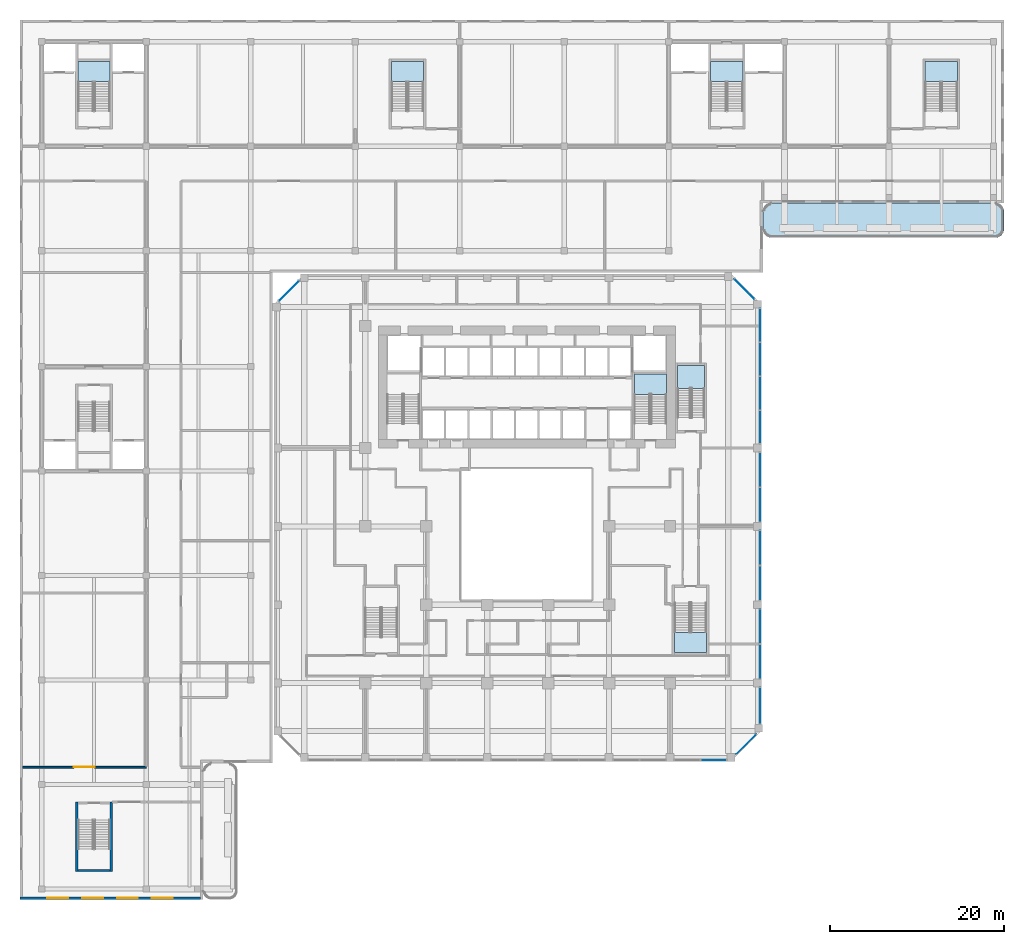
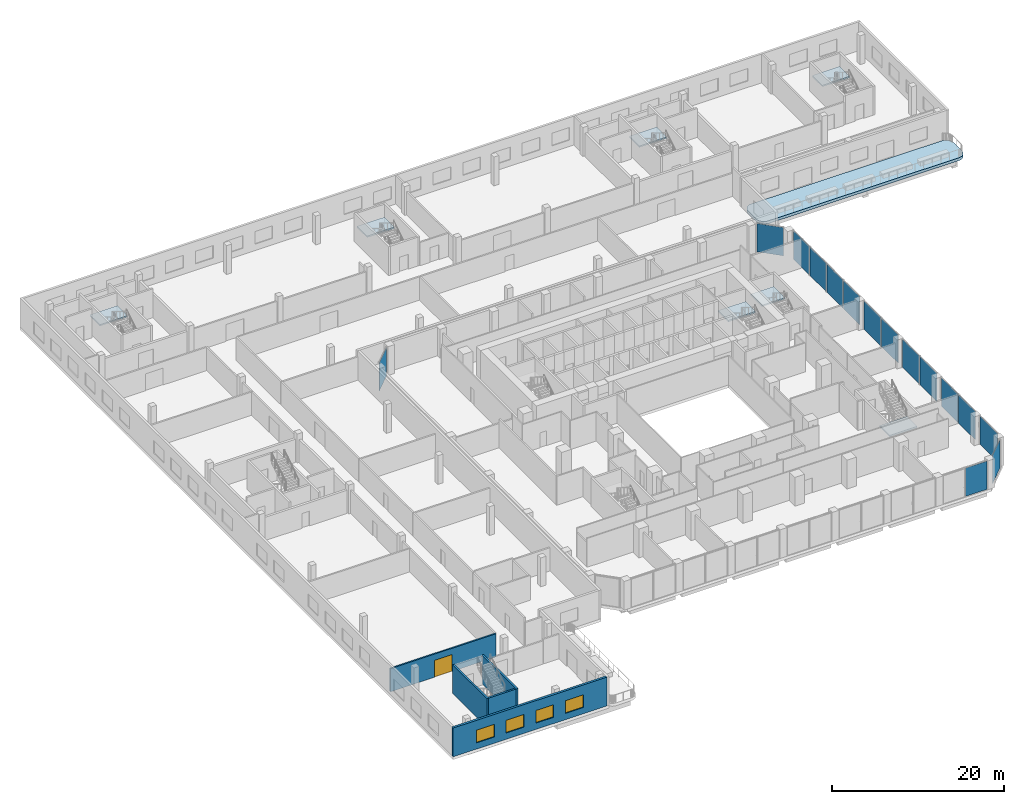
# One storey, part 12 of 36: 15 plates, 8 slabs, 5 walls, 4 windows, 1 door, 5 openings, 22 elements without a shape of their own.
"""IFC4 building model written with IfcOpenShell, lengths in metres."""

from ifc_helpers import new_model, si_unit, direction, frame, frame_2d, origin, origin_2d, place, context, subcontext, project, spatial, polyline, rectangle, outline, extrude, source, transform, mapped, material, layer, layer_set, type_object, element, fill, aggregate, save


model = new_model("IFC4")

# Units and contexts
model_context = context("Model", 3, precision=1e-05, world=origin(), true_north=direction((0.0, 1.0)))
body_context = subcontext(model_context, "Body", "Model", "MODEL_VIEW")
ifc_project = project(units=[si_unit("LENGTHUNIT", "METRE"), si_unit("AREAUNIT", "SQUARE_METRE"), si_unit("VOLUMEUNIT", "CUBIC_METRE"), si_unit("PLANEANGLEUNIT", "RADIAN"), si_unit("MASSUNIT", "GRAM", prefix="KILO")], contexts=[model_context])

# Site, building, storey
site_placement = place(None, origin())
site = spatial("IfcSite", under=ifc_project, at=site_placement, CompositionType="ELEMENT")
building_placement = place(site_placement, origin())
building = spatial("IfcBuilding", under=site, at=building_placement, Name="Kilnfold Tower and Market Hall", CompositionType="ELEMENT")
storey_placement = place(building_placement, frame((0.0, 0.0, 18.0)))
storey = spatial("IfcBuildingStorey", under=building, at=storey_placement, Name="L03", CompositionType="ELEMENT", Elevation=18.0)

# Curtain wall, plate
ifc_material_1 = material(Name="Aluminium and double glazing", Category="aluminium")
curtain_wall_type = type_object("IfcCurtainWallType", Name="CW BASE PODIUM GLAZING", PredefinedType="NOTDEFINED", material=ifc_material_1)
curtain_wall_1_placement = place(storey_placement, origin())
curtain_wall_1 = element("IfcCurtainWall", 1, at=curtain_wall_1_placement, inside=storey, type_object=curtain_wall_type, Name="Curtain wall CW4 L03 S", PredefinedType="NOTDEFINED")
ifc_material_2 = material(Name="Double glazed unit")
ifc_layer_1 = layer(ifc_material_2, 0.035888671875)
ifc_layer_set_1 = layer_set([ifc_layer_1], Name="Double glazed unit")
plate_type = type_object("IfcPlateType", Name="GLAZING PANEL 36", PredefinedType="CURTAIN_PANEL", material=ifc_layer_set_1)
shared_shape_1 = source(origin(), body_context, "Body", "SweptSolid", [
    extrude(rectangle(XDim=2.909912109375, YDim=0.035888671875, at=origin_2d()), origin(), (0.0, 0.0, 1.0), 4.030029296875),
])
plate_1_placement = place(storey_placement, frame((22.52490234375, -27.85009765625, 0.0), z_axis=(0.0, 0.0, 1.0), x_axis=(1.0, 0.0, 0.0)))
plate_1 = element("IfcPlate", 2, at=plate_1_placement, type_object=plate_type, Name="CW4 panel 1.1", PredefinedType="CURTAIN_PANEL", context=body_context, shape_type="MappedRepresentation", body=[
    mapped(shared_shape_1, transform((0.0, 0.0, 0.0))),
])
aggregate(curtain_wall_1, [plate_1])

curtain_wall_2_placement = place(storey_placement, origin())
curtain_wall_2 = element("IfcCurtainWall", 3, at=curtain_wall_2_placement, inside=storey, type_object=curtain_wall_type, Name="Curtain wall CW4 L03 E", PredefinedType="NOTDEFINED")
shared_shape_2 = source(origin(), body_context, "Body", "SweptSolid", [
    extrude(rectangle(XDim=3.909912109375, YDim=0.035888671875, at=origin_2d()), origin(), (0.0, 0.0, 1.0), 4.030029296875),
])
plate_2_placement = place(storey_placement, frame((27.85009765625, -16.52490234375, 0.0), z_axis=(0.0, 0.0, 1.0), x_axis=(0.0, 1.0, 0.0)))
plate_2 = element("IfcPlate", 4, at=plate_2_placement, type_object=plate_type, Name="CW4 panel 1.1", PredefinedType="CURTAIN_PANEL", context=body_context, shape_type="MappedRepresentation", body=[
    mapped(shared_shape_2, transform((0.0, 0.0, 0.0))),
])
aggregate(curtain_wall_2, [plate_2])

curtain_wall_3_placement = place(storey_placement, origin())
curtain_wall_3 = element("IfcCurtainWall", 5, at=curtain_wall_3_placement, inside=storey, type_object=curtain_wall_type, Name="Curtain wall CW4 L03 E", PredefinedType="NOTDEFINED")
plate_3_placement = place(storey_placement, frame((27.85009765625, -12.47509765625, 0.0), z_axis=(0.0, 0.0, 1.0), x_axis=(0.0, 1.0, 0.0)))
plate_3 = element("IfcPlate", 6, at=plate_3_placement, type_object=plate_type, Name="CW4 panel 1.1", PredefinedType="CURTAIN_PANEL", context=body_context, shape_type="MappedRepresentation", body=[
    mapped(shared_shape_2, transform((0.0, 0.0, 0.0))),
])
aggregate(curtain_wall_3, [plate_3])

curtain_wall_4_placement = place(storey_placement, origin())
curtain_wall_4 = element("IfcCurtainWall", 7, at=curtain_wall_4_placement, inside=storey, type_object=curtain_wall_type, Name="Curtain wall CW4 L03 E", PredefinedType="NOTDEFINED")
plate_4_placement = place(storey_placement, frame((27.85009765625, -7.52490234375, 0.0), z_axis=(0.0, 0.0, 1.0), x_axis=(0.0, 1.0, 0.0)))
plate_4 = element("IfcPlate", 8, at=plate_4_placement, type_object=plate_type, Name="CW4 panel 1.1", PredefinedType="CURTAIN_PANEL", context=body_context, shape_type="MappedRepresentation", body=[
    mapped(shared_shape_2, transform((0.0, 0.0, 0.0))),
])
aggregate(curtain_wall_4, [plate_4])

curtain_wall_5_placement = place(storey_placement, origin())
curtain_wall_5 = element("IfcCurtainWall", 9, at=curtain_wall_5_placement, inside=storey, type_object=curtain_wall_type, Name="Curtain wall CW4 L03 E", PredefinedType="NOTDEFINED")
plate_5_placement = place(storey_placement, frame((27.85009765625, -3.47509765625, 0.0), z_axis=(0.0, 0.0, 1.0), x_axis=(0.0, 1.0, 0.0)))
plate_5 = element("IfcPlate", 10, at=plate_5_placement, type_object=plate_type, Name="CW4 panel 1.1", PredefinedType="CURTAIN_PANEL", context=body_context, shape_type="MappedRepresentation", body=[
    mapped(shared_shape_2, transform((0.0, 0.0, 0.0))),
])
aggregate(curtain_wall_5, [plate_5])

curtain_wall_6_placement = place(storey_placement, origin())
curtain_wall_6 = element("IfcCurtainWall", 11, at=curtain_wall_6_placement, inside=storey, type_object=curtain_wall_type, Name="Curtain wall CW4 L03 E", PredefinedType="NOTDEFINED")
plate_6_placement = place(storey_placement, frame((27.85009765625, 1.47509765625, 0.0), z_axis=(0.0, 0.0, 1.0), x_axis=(0.0, 1.0, 0.0)))
plate_6 = element("IfcPlate", 12, at=plate_6_placement, type_object=plate_type, Name="CW4 panel 1.1", PredefinedType="CURTAIN_PANEL", context=body_context, shape_type="MappedRepresentation", body=[
    mapped(shared_shape_2, transform((0.0, 0.0, 0.0))),
])
aggregate(curtain_wall_6, [plate_6])

curtain_wall_7_placement = place(storey_placement, origin())
curtain_wall_7 = element("IfcCurtainWall", 13, at=curtain_wall_7_placement, inside=storey, type_object=curtain_wall_type, Name="Curtain wall CW4 L03 E", PredefinedType="NOTDEFINED")
plate_7_placement = place(storey_placement, frame((27.85009765625, 5.52490234375, 0.0), z_axis=(0.0, 0.0, 1.0), x_axis=(0.0, 1.0, 0.0)))
plate_7 = element("IfcPlate", 14, at=plate_7_placement, type_object=plate_type, Name="CW4 panel 1.1", PredefinedType="CURTAIN_PANEL", context=body_context, shape_type="MappedRepresentation", body=[
    mapped(shared_shape_2, transform((0.0, 0.0, 0.0))),
])
aggregate(curtain_wall_7, [plate_7])

curtain_wall_8_placement = place(storey_placement, origin())
curtain_wall_8 = element("IfcCurtainWall", 15, at=curtain_wall_8_placement, inside=storey, type_object=curtain_wall_type, Name="Curtain wall CW4 L03 E", PredefinedType="NOTDEFINED")
shared_shape_3 = source(origin(), body_context, "Body", "SweptSolid", [
    extrude(rectangle(XDim=3.760009765625, YDim=0.035888671875, at=origin_2d()), origin(), (0.0, 0.0, 1.0), 4.030029296875),
])
plate_8_placement = place(storey_placement, frame((27.85009765625, 10.39990234375, 0.0), z_axis=(0.0, 0.0, 1.0), x_axis=(0.0, 1.0, 0.0)))
plate_8 = element("IfcPlate", 16, at=plate_8_placement, type_object=plate_type, Name="CW4 panel 1.1", PredefinedType="CURTAIN_PANEL", context=body_context, shape_type="MappedRepresentation", body=[
    mapped(shared_shape_3, transform((0.0, 0.0, 0.0))),
])
aggregate(curtain_wall_8, [plate_8])

curtain_wall_9_placement = place(storey_placement, origin())
curtain_wall_9 = element("IfcCurtainWall", 17, at=curtain_wall_9_placement, inside=storey, type_object=curtain_wall_type, Name="Curtain wall CW4 L03 E", PredefinedType="NOTDEFINED")
plate_9_placement = place(storey_placement, frame((27.85009765625, 14.300048828125, 0.0), z_axis=(0.0, 0.0, 1.0), x_axis=(0.0, 1.0, 0.0)))
plate_9 = element("IfcPlate", 18, at=plate_9_placement, type_object=plate_type, Name="CW4 panel 1.1", PredefinedType="CURTAIN_PANEL", context=body_context, shape_type="MappedRepresentation", body=[
    mapped(shared_shape_3, transform((0.0, 0.0, 0.0))),
])
aggregate(curtain_wall_9, [plate_9])

curtain_wall_10_placement = place(storey_placement, origin())
curtain_wall_10 = element("IfcCurtainWall", 19, at=curtain_wall_10_placement, inside=storey, type_object=curtain_wall_type, Name="Curtain wall CW4 L03 E", PredefinedType="NOTDEFINED")
plate_10_placement = place(storey_placement, frame((27.85009765625, 18.199951171875, 0.0), z_axis=(0.0, 0.0, 1.0), x_axis=(0.0, 1.0, 0.0)))
plate_10 = element("IfcPlate", 20, at=plate_10_placement, type_object=plate_type, Name="CW4 panel 1.1", PredefinedType="CURTAIN_PANEL", context=body_context, shape_type="MappedRepresentation", body=[
    mapped(shared_shape_3, transform((0.0, 0.0, 0.0))),
])
aggregate(curtain_wall_10, [plate_10])

curtain_wall_11_placement = place(storey_placement, origin())
curtain_wall_11 = element("IfcCurtainWall", 21, at=curtain_wall_11_placement, inside=storey, type_object=curtain_wall_type, Name="Curtain wall CW4 L03 E", PredefinedType="NOTDEFINED")
plate_11_placement = place(storey_placement, frame((27.85009765625, 22.10009765625, 0.0), z_axis=(0.0, 0.0, 1.0), x_axis=(0.0, 1.0, 0.0)))
plate_11 = element("IfcPlate", 22, at=plate_11_placement, type_object=plate_type, Name="CW4 panel 1.1", PredefinedType="CURTAIN_PANEL", context=body_context, shape_type="MappedRepresentation", body=[
    mapped(shared_shape_3, transform((0.0, 0.0, 0.0))),
])
aggregate(curtain_wall_11, [plate_11])

curtain_wall_12_placement = place(storey_placement, origin())
curtain_wall_12 = element("IfcCurtainWall", 23, at=curtain_wall_12_placement, inside=storey, type_object=curtain_wall_type, Name="Curtain wall CW4 L03 SE", PredefinedType="NOTDEFINED")
shared_shape_4 = source(origin(), body_context, "Body", "SweptSolid", [
    extrude(rectangle(XDim=3.21875, YDim=0.035888671875, at=origin_2d()), origin(), (0.0, 0.0, 1.0), 4.030029296875),
])
plate_12_placement = place(storey_placement, frame((26.25634765625, -26.031494140625, 0.0), z_axis=(0.0, 0.0, 1.0), x_axis=(0.707121667181, 0.707091894879, 0.0)))
plate_12 = element("IfcPlate", 24, at=plate_12_placement, type_object=plate_type, Name="CW4 panel 1.1", PredefinedType="CURTAIN_PANEL", context=body_context, shape_type="MappedRepresentation", body=[
    mapped(shared_shape_4, transform((0.0, 0.0, 0.0))),
])
aggregate(curtain_wall_12, [plate_12])

curtain_wall_13_placement = place(storey_placement, origin())
curtain_wall_13 = element("IfcCurtainWall", 25, at=curtain_wall_13_placement, inside=storey, type_object=curtain_wall_type, Name="Curtain wall CW4 L03 NE", PredefinedType="NOTDEFINED")
plate_13_placement = place(storey_placement, frame((26.031494140625, 26.25634765625, 0.0), z_axis=(0.0, 0.0, 1.0), x_axis=(-0.707091894879, 0.707121667181, 0.0)))
plate_13 = element("IfcPlate", 26, at=plate_13_placement, type_object=plate_type, Name="CW4 panel 1.1", PredefinedType="CURTAIN_PANEL", context=body_context, shape_type="MappedRepresentation", body=[
    mapped(shared_shape_4, transform((0.0, 0.0, 0.0))),
])
aggregate(curtain_wall_13, [plate_13])

curtain_wall_14_placement = place(storey_placement, origin())
curtain_wall_14 = element("IfcCurtainWall", 27, at=curtain_wall_14_placement, inside=storey, type_object=curtain_wall_type, Name="Curtain wall CW4 L03 NW", PredefinedType="NOTDEFINED")
plate_14_placement = place(storey_placement, frame((-26.25634765625, 26.031494140625, 0.0), z_axis=(0.0, 0.0, 1.0), x_axis=(-0.707121667181, -0.707091894879, 0.0)))
plate_14 = element("IfcPlate", 28, at=plate_14_placement, type_object=plate_type, Name="CW4 panel 1.1", PredefinedType="CURTAIN_PANEL", context=body_context, shape_type="MappedRepresentation", body=[
    mapped(shared_shape_4, transform((0.0, 0.0, 0.0))),
])
aggregate(curtain_wall_14, [plate_14])

curtain_wall_15_placement = place(storey_placement, origin())
curtain_wall_15 = element("IfcCurtainWall", 29, at=curtain_wall_15_placement, inside=storey, type_object=curtain_wall_type, Name="Curtain wall CW4 L03 E", PredefinedType="NOTDEFINED")
shared_shape_5 = source(origin(), body_context, "Body", "SweptSolid", [
    extrude(rectangle(XDim=4.141845703125, YDim=0.035888671875, at=origin_2d()), origin(), (0.0, 0.0, 1.0), 4.030029296875),
])
plate_15_placement = place(storey_placement, frame((27.85009765625, -21.5908203125, 0.0), z_axis=(0.0, 0.0, 1.0), x_axis=(0.0, 1.0, 0.0)))
plate_15 = element("IfcPlate", 30, at=plate_15_placement, type_object=plate_type, Name="CW4 panel 1.1", PredefinedType="CURTAIN_PANEL", context=body_context, shape_type="MappedRepresentation", body=[
    mapped(shared_shape_5, transform((0.0, 0.0, 0.0))),
])
aggregate(curtain_wall_15, [plate_15])

# Slab
ifc_material_3 = material(Name="Concrete C40/50", Category="concrete")
ifc_layer_2 = layer(ifc_material_3, 0.39990234375)
ifc_layer_set_2 = layer_set([ifc_layer_2], Name="Concrete C40/50")
slab_type_1 = type_object("IfcSlabType", Name="TERRACE SLAB 400", PredefinedType="ROOF", material=ifc_layer_set_2)
shared_shape_6 = source(origin(), body_context, "Body", "SweptSolid", [
    extrude(outline(polyline([(55.85009765625, 33.14990234375), (55.84521484375, 33.052001953125), (55.830810546875, 32.954833984375), (55.806884765625, 32.859619140625), (55.77392578125, 32.767333984375), (55.73193359375, 32.6787109375), (55.681396484375, 32.594482421875), (55.623046875, 32.515625), (55.55712890625, 32.44287109375), (55.484375, 32.376953125), (55.405517578125, 32.318603515625), (55.3212890625, 32.26806640625), (55.232666015625, 32.22607421875), (55.140380859375, 32.193115234375), (55.045166015625, 32.169189453125), (54.947998046875, 32.15478515625), (54.85009765625, 32.14990234375), (29.159912109375, 32.14990234375), (29.06201171875, 32.15478515625), (28.96484375, 32.169189453125), (28.86962890625, 32.193115234375), (28.77734375, 32.22607421875), (28.688720703125, 32.26806640625), (28.6044921875, 32.318603515625), (28.525634765625, 32.376953125), (28.452880859375, 32.44287109375), (28.386962890625, 32.515625), (28.32861328125, 32.594482421875), (28.278076171875, 32.6787109375), (28.236083984375, 32.767333984375), (28.203125, 32.859619140625), (28.17919921875, 32.954833984375), (28.164794921875, 33.052001953125), (28.159912109375, 33.14990234375), (28.159912109375, 35.139892578125), (28.164794921875, 35.238037109375), (28.17919921875, 35.335205078125), (28.203125, 35.430419921875), (28.236083984375, 35.522705078125), (28.278076171875, 35.611328125), (28.32861328125, 35.695556640625), (28.386962890625, 35.7744140625), (28.452880859375, 35.84716796875), (28.525634765625, 35.9130859375), (28.6044921875, 35.971435546875), (28.688720703125, 36.02197265625), (28.77734375, 36.06396484375), (28.86962890625, 36.096923828125), (28.96484375, 36.120849609375), (29.06201171875, 36.13525390625), (29.159912109375, 36.139892578125), (54.85009765625, 36.139892578125), (54.947998046875, 36.13525390625), (55.045166015625, 36.120849609375), (55.140380859375, 36.096923828125), (55.232666015625, 36.06396484375), (55.3212890625, 36.02197265625), (55.405517578125, 35.971435546875), (55.484375, 35.9130859375), (55.55712890625, 35.84716796875), (55.623046875, 35.7744140625), (55.681396484375, 35.695556640625), (55.73193359375, 35.611328125), (55.77392578125, 35.522705078125), (55.806884765625, 35.430419921875), (55.830810546875, 35.335205078125), (55.84521484375, 35.238037109375), (55.85009765625, 35.139892578125), (55.85009765625, 33.14990234375)])), origin(), (0.0, 0.0, 1.0), 0.39990234375),
])
slab_1_placement = place(storey_placement, frame((0.0, 0.0, -0.39990234375)))
element("IfcSlab", 31, at=slab_1_placement, inside=storey, type_object=slab_type_1, Name="Terrace slab L03 part 2", PredefinedType="ROOF", context=body_context, shape_type="MappedRepresentation", body=[
    mapped(shared_shape_6, transform((0.0, 0.0, 0.0))),
])

# Stair, slab
ifc_material_4 = material(Name="Concrete C40/50", Category="concrete")
stair_type_1 = type_object("IfcStairType", Name="CORE STAIR 1800", PredefinedType="HALF_TURN_STAIR", material=ifc_material_4)
stair_1_placement = place(storey_placement, origin())
stair_1 = element("IfcStair", 32, at=stair_1_placement, inside=storey, type_object=stair_type_1, Name="L03 ST2", PredefinedType="HALF_TURN_STAIR")
ifc_material_5 = material(Name="Concrete C40/50", Category="concrete")
ifc_layer_3 = layer(ifc_material_5, 0.199951171875)
ifc_layer_set_3 = layer_set([ifc_layer_3], Name="Concrete C40/50")
slab_type_2 = type_object("IfcSlabType", Name="CORE STAIR LANDING 200", PredefinedType="LANDING", material=ifc_layer_set_3)
shared_shape_7 = source(origin(), body_context, "Body", "SweptSolid", [
    extrude(outline(polyline([(17.10009765625, 14.159912109375), (17.10009765625, 16.5), (13.39990234375, 16.5), (13.39990234375, 14.159912109375), (17.10009765625, 14.159912109375)])), origin(), (0.0, 0.0, 1.0), 0.199951171875),
])
slab_2_placement = place(storey_placement, frame((0.0, 0.0, 2.050048828125)))
slab_2 = element("IfcSlab", 33, at=slab_2_placement, type_object=slab_type_2, Name="ST2 landing 1", PredefinedType="LANDING", context=body_context, shape_type="MappedRepresentation", body=[
    mapped(shared_shape_7, transform((0.0, 0.0, 0.0))),
])
aggregate(stair_1, [slab_2])

stair_2_placement = place(storey_placement, origin())
stair_2 = element("IfcStair", 34, at=stair_2_placement, inside=storey, type_object=stair_type_1, Name="L03 ST4", PredefinedType="HALF_TURN_STAIR")
shared_shape_8 = source(origin(), body_context, "Body", "SweptSolid", [
    extrude(outline(polyline([(18.0, -13.159912109375), (18.0, -15.5), (21.699951171875, -15.5), (21.699951171875, -13.159912109375), (18.0, -13.159912109375)])), origin(), (0.0, 0.0, 1.0), 0.199951171875),
])
slab_3_placement = place(storey_placement, frame((0.0, 0.0, 2.050048828125)))
slab_3 = element("IfcSlab", 35, at=slab_3_placement, type_object=slab_type_2, Name="ST4 landing 1", PredefinedType="LANDING", context=body_context, shape_type="MappedRepresentation", body=[
    mapped(shared_shape_8, transform((0.0, 0.0, 0.0))),
])
aggregate(stair_2, [slab_3])

ifc_material_6 = material(Name="Concrete C40/50", Category="concrete")
stair_type_2 = type_object("IfcStairType", Name="CORE STAIR 1500", PredefinedType="HALF_TURN_STAIR", material=ifc_material_6)
stair_3_placement = place(storey_placement, origin())
stair_3 = element("IfcStair", 36, at=stair_3_placement, inside=storey, type_object=stair_type_2, Name="L03 ST5", PredefinedType="HALF_TURN_STAIR")
shared_shape_9 = source(origin(), body_context, "Body", "SweptSolid", [
    extrude(outline(polyline([(21.449951171875, 14.860107421875), (21.449951171875, 17.5), (18.35009765625, 17.5), (18.35009765625, 14.860107421875), (21.449951171875, 14.860107421875)])), origin(), (0.0, 0.0, 1.0), 0.199951171875),
])
slab_4_placement = place(storey_placement, frame((0.0, 0.0, 2.050048828125)))
slab_4 = element("IfcSlab", 37, at=slab_4_placement, type_object=slab_type_2, Name="ST5 landing 1", PredefinedType="LANDING", context=body_context, shape_type="MappedRepresentation", body=[
    mapped(shared_shape_9, transform((0.0, 0.0, 0.0))),
])
aggregate(stair_3, [slab_4])

ifc_material_7 = material(Name="Concrete C40/50", Category="concrete")
stair_type_3 = type_object("IfcStairType", Name="HALL STAIR", PredefinedType="HALF_TURN_STAIR", material=ifc_material_7)
stair_4_placement = place(storey_placement, origin())
stair_4 = element("IfcStair", 38, at=stair_4_placement, inside=storey, type_object=stair_type_3, Name="L03 MS3", PredefinedType="HALF_TURN_STAIR")
ifc_material_8 = material(Name="Concrete C40/50", Category="concrete")
ifc_layer_4 = layer(ifc_material_8, 0.199951171875)
ifc_layer_set_4 = layer_set([ifc_layer_4], Name="Concrete C40/50")
slab_type_3 = type_object("IfcSlabType", Name="HALL STAIR LANDING", PredefinedType="LANDING", material=ifc_layer_set_4)
shared_shape_10 = source(origin(), body_context, "Body", "SweptSolid", [
    extrude(outline(polyline([(-46.800048828125, 50.06005859375), (-46.800048828125, 52.39990234375), (-50.5, 52.39990234375), (-50.5, 50.06005859375), (-46.800048828125, 50.06005859375)])), origin(), (0.0, 0.0, 1.0), 0.199951171875),
])
slab_5_placement = place(storey_placement, frame((0.0, 0.0, 2.050048828125)))
slab_5 = element("IfcSlab", 39, at=slab_5_placement, type_object=slab_type_3, Name="MS3 landing 1", PredefinedType="LANDING", context=body_context, shape_type="MappedRepresentation", body=[
    mapped(shared_shape_10, transform((0.0, 0.0, 0.0))),
])
aggregate(stair_4, [slab_5])

stair_5_placement = place(storey_placement, origin())
stair_5 = element("IfcStair", 40, at=stair_5_placement, inside=storey, type_object=stair_type_3, Name="L03 MS4", PredefinedType="HALF_TURN_STAIR")
shared_shape_11 = source(origin(), body_context, "Body", "SweptSolid", [
    extrude(outline(polyline([(-10.800048828125, 50.06005859375), (-10.800048828125, 52.39990234375), (-14.5, 52.39990234375), (-14.5, 50.06005859375), (-10.800048828125, 50.06005859375)])), origin(), (0.0, 0.0, 1.0), 0.199951171875),
])
slab_6_placement = place(storey_placement, frame((0.0, 0.0, 2.050048828125)))
slab_6 = element("IfcSlab", 41, at=slab_6_placement, type_object=slab_type_3, Name="MS4 landing 1", PredefinedType="LANDING", context=body_context, shape_type="MappedRepresentation", body=[
    mapped(shared_shape_11, transform((0.0, 0.0, 0.0))),
])
aggregate(stair_5, [slab_6])

stair_6_placement = place(storey_placement, origin())
stair_6 = element("IfcStair", 42, at=stair_6_placement, inside=storey, type_object=stair_type_3, Name="L03 MS5", PredefinedType="HALF_TURN_STAIR")
shared_shape_12 = source(origin(), body_context, "Body", "SweptSolid", [
    extrude(outline(polyline([(25.85009765625, 50.06005859375), (25.85009765625, 52.39990234375), (22.14990234375, 52.39990234375), (22.14990234375, 50.06005859375), (25.85009765625, 50.06005859375)])), origin(), (0.0, 0.0, 1.0), 0.199951171875),
])
slab_7_placement = place(storey_placement, frame((0.0, 0.0, 2.050048828125)))
slab_7 = element("IfcSlab", 43, at=slab_7_placement, type_object=slab_type_3, Name="MS5 landing 1", PredefinedType="LANDING", context=body_context, shape_type="MappedRepresentation", body=[
    mapped(shared_shape_12, transform((0.0, 0.0, 0.0))),
])
aggregate(stair_6, [slab_7])

stair_7_placement = place(storey_placement, origin())
stair_7 = element("IfcStair", 44, at=stair_7_placement, inside=storey, type_object=stair_type_3, Name="L03 MS6", PredefinedType="HALF_TURN_STAIR")
shared_shape_13 = source(origin(), body_context, "Body", "SweptSolid", [
    extrude(outline(polyline([(50.5, 50.06005859375), (50.5, 52.39990234375), (46.800048828125, 52.39990234375), (46.800048828125, 50.06005859375), (50.5, 50.06005859375)])), origin(), (0.0, 0.0, 1.0), 0.199951171875),
])
slab_8_placement = place(storey_placement, frame((0.0, 0.0, 2.050048828125)))
slab_8 = element("IfcSlab", 45, at=slab_8_placement, type_object=slab_type_3, Name="MS6 landing 1", PredefinedType="LANDING", context=body_context, shape_type="MappedRepresentation", body=[
    mapped(shared_shape_13, transform((0.0, 0.0, 0.0))),
])
aggregate(stair_7, [slab_8])

# Walls
ifc_material_9 = material(Name="Concrete C50/60", Category="concrete")
ifc_layer_5 = layer(ifc_material_9, 0.25)
ifc_layer_set_5 = layer_set([ifc_layer_5], Name="Concrete C50/60")
wall_type_1 = type_object("IfcWallType", Name="HALL CORE WALL 250", PredefinedType="SHEAR", material=ifc_layer_set_5)
shared_shape_14 = source(origin(), body_context, "Body", "SweptSolid", [
    extrude(rectangle(XDim=3.699951171875, YDim=0.25, at=frame_2d((1.85009765625, 0.0))), origin(), (0.0, 0.0, 1.0), 4.10009765625),
])
wall_1_placement = place(storey_placement, frame((-50.5, -40.52490234375, 0.0), z_axis=(0.0, 0.0, 1.0), x_axis=(1.0, 0.0, 0.0)))
element("IfcWall", 46, at=wall_1_placement, inside=storey, type_object=wall_type_1, Name="Core wall MS1", PredefinedType="SHEAR", context=body_context, shape_type="MappedRepresentation", body=[
    mapped(shared_shape_14, transform((0.0, 0.0, 0.0))),
])
shared_shape_15 = source(origin(), body_context, "Body", "SweptSolid", [
    extrude(rectangle(XDim=8.0, YDim=0.25, at=frame_2d((4.0, 0.0))), origin(), (0.0, 0.0, 1.0), 4.10009765625),
])
for number, where, z_axis, x_axis, name in (
    (47, (-50.625, -40.64990234375, 0.0), (0.0, 0.0, 1.0), (0.0, 1.0, 0.0), "Core wall MS1"),
    (48, (-46.675048828125, -40.64990234375, 0.0), (0.0, 0.0, 1.0), (0.0, 1.0, 0.0), "Core wall MS1"),
):
    element("IfcWall", number, at=place(storey_placement, frame(where, z_axis=z_axis, x_axis=x_axis)), inside=storey, type_object=wall_type_1, Name=name, PredefinedType="SHEAR", context=body_context, shape_type="MappedRepresentation", body=[
        mapped(shared_shape_15, transform((0.0, 0.0, 0.0))),
    ])

# Wall, openings, windows
ifc_material_10 = material(Name="Concrete blockwork", Category="masonry")
ifc_layer_6 = layer(ifc_material_10, 0.300048828125)
ifc_layer_set_6 = layer_set([ifc_layer_6], Name="Concrete blockwork")
wall_type_2 = type_object("IfcWallType", Name="HALL EXTERNAL WALL 300 EI 60", PredefinedType="SOLIDWALL", material=ifc_layer_set_6)
shared_shape_16 = source(origin(), body_context, "Body", "SweptSolid", [
    extrude(rectangle(XDim=20.699951171875, YDim=0.300048828125, at=frame_2d((10.35009765625, 0.0))), origin(), (0.0, 0.0, 1.0), 4.10009765625),
])
wall_2_placement = place(storey_placement, frame((-36.449951171875, -43.699951171875, 0.0), z_axis=(0.0, 0.0, 1.0), x_axis=(-1.0, 0.0, 0.0)))
wall_2 = element("IfcWall", 49, at=wall_2_placement, inside=storey, type_object=wall_type_2, Name="External wall MEW-L03.10", PredefinedType="SOLIDWALL", context=body_context, shape_type="MappedRepresentation", body=[
    mapped(shared_shape_16, transform((0.0, 0.0, 0.0))),
])
opening_1_placement = place(wall_2_placement, frame((3.14990234375, 0.0, 0.89990234375)))
opening_1 = element("IfcOpeningElement", 50, at=opening_1_placement, cuts=wall_2, Name="Opening MEN3", PredefinedType="OPENING", context=body_context, shape_type="SweptSolid", body=[
    extrude(rectangle(XDim=2.39990234375, YDim=1.800048828125, at=frame_2d((1.199951171875, 0.89990234375))), frame((0.0, 0.16015625, 0.0), z_axis=(0.0, -1.0, 0.0), x_axis=(1.0, 0.0, 0.0)), (0.0, 0.0, 1.0), 0.320068359375),
])
opening_2_placement = place(wall_2_placement, frame((7.14990234375, 0.0, 0.89990234375)))
opening_2 = element("IfcOpeningElement", 51, at=opening_2_placement, cuts=wall_2, Name="Opening MEN3", PredefinedType="OPENING", context=body_context, shape_type="SweptSolid", body=[
    extrude(rectangle(XDim=2.39990234375, YDim=1.800048828125, at=frame_2d((1.199951171875, 0.89990234375))), frame((0.0, 0.16015625, 0.0), z_axis=(0.0, -1.0, 0.0), x_axis=(1.0, 0.0, 0.0)), (0.0, 0.0, 1.0), 0.320068359375),
])
opening_3_placement = place(wall_2_placement, frame((11.14990234375, 0.0, 0.89990234375)))
opening_3 = element("IfcOpeningElement", 52, at=opening_3_placement, cuts=wall_2, Name="Opening MEN3", PredefinedType="OPENING", context=body_context, shape_type="SweptSolid", body=[
    extrude(rectangle(XDim=2.39990234375, YDim=1.800048828125, at=frame_2d((1.199951171875, 0.89990234375))), frame((0.0, 0.16015625, 0.0), z_axis=(0.0, -1.0, 0.0), x_axis=(1.0, 0.0, 0.0)), (0.0, 0.0, 1.0), 0.320068359375),
])
opening_4_placement = place(wall_2_placement, frame((15.14990234375, 0.0, 0.89990234375)))
opening_4 = element("IfcOpeningElement", 53, at=opening_4_placement, cuts=wall_2, Name="Opening MEN3", PredefinedType="OPENING", context=body_context, shape_type="SweptSolid", body=[
    extrude(rectangle(XDim=2.39990234375, YDim=1.800048828125, at=frame_2d((1.199951171875, 0.89990234375))), frame((0.0, 0.16015625, 0.0), z_axis=(0.0, -1.0, 0.0), x_axis=(1.0, 0.0, 0.0)), (0.0, 0.0, 1.0), 0.320068359375),
])
ifc_material_11 = material(Name="Aluminium glazing", Category="aluminium")
window_type = type_object("IfcWindowType", Name="HALL WINDOW 2400X1800", PartitioningType="SINGLE_PANEL", PredefinedType="WINDOW", material=ifc_material_11)
window_1_placement = place(opening_1_placement, origin())
window_1 = element("IfcWindow", 54, at=window_1_placement, inside=storey, type_object=window_type, Name="Window upper", OverallHeight=1.800048828125, OverallWidth=2.39990234375, PartitioningType="SINGLE_PANEL", PredefinedType="WINDOW", context=body_context, shape_type="SweptSolid", body=[
    extrude(rectangle(XDim=2.39990234375, YDim=1.800048828125, at=frame_2d((1.199951171875, 0.89990234375))), frame((0.0, 0.030029296875, 0.0), z_axis=(0.0, -1.0, 0.0), x_axis=(1.0, 0.0, 0.0)), (0.0, 0.0, 1.0), 0.06005859375),
])
fill(opening_1, window_1)
window_2_placement = place(opening_2_placement, origin())
window_2 = element("IfcWindow", 55, at=window_2_placement, inside=storey, type_object=window_type, Name="Window upper", OverallHeight=1.800048828125, OverallWidth=2.39990234375, PartitioningType="SINGLE_PANEL", PredefinedType="WINDOW", context=body_context, shape_type="SweptSolid", body=[
    extrude(rectangle(XDim=2.39990234375, YDim=1.800048828125, at=frame_2d((1.199951171875, 0.89990234375))), frame((0.0, 0.030029296875, 0.0), z_axis=(0.0, -1.0, 0.0), x_axis=(1.0, 0.0, 0.0)), (0.0, 0.0, 1.0), 0.06005859375),
])
fill(opening_2, window_2)
window_3_placement = place(opening_3_placement, origin())
window_3 = element("IfcWindow", 56, at=window_3_placement, inside=storey, type_object=window_type, Name="Window upper", OverallHeight=1.800048828125, OverallWidth=2.39990234375, PartitioningType="SINGLE_PANEL", PredefinedType="WINDOW", context=body_context, shape_type="SweptSolid", body=[
    extrude(rectangle(XDim=2.39990234375, YDim=1.800048828125, at=frame_2d((1.199951171875, 0.89990234375))), frame((0.0, 0.030029296875, 0.0), z_axis=(0.0, -1.0, 0.0), x_axis=(1.0, 0.0, 0.0)), (0.0, 0.0, 1.0), 0.06005859375),
])
fill(opening_3, window_3)
window_4_placement = place(opening_4_placement, origin())
window_4 = element("IfcWindow", 57, at=window_4_placement, inside=storey, type_object=window_type, Name="Window upper", OverallHeight=1.800048828125, OverallWidth=2.39990234375, PartitioningType="SINGLE_PANEL", PredefinedType="WINDOW", context=body_context, shape_type="SweptSolid", body=[
    extrude(rectangle(XDim=2.39990234375, YDim=1.800048828125, at=frame_2d((1.199951171875, 0.89990234375))), frame((0.0, 0.030029296875, 0.0), z_axis=(0.0, -1.0, 0.0), x_axis=(1.0, 0.0, 0.0)), (0.0, 0.0, 1.0), 0.06005859375),
])
fill(opening_4, window_4)

# Wall, opening, door
ifc_material_12 = material(Name="Concrete blockwork", Category="masonry")
ifc_layer_7 = layer(ifc_material_12, 0.199951171875)
ifc_layer_set_7 = layer_set([ifc_layer_7], Name="Concrete blockwork")
wall_type_3 = type_object("IfcWallType", Name="HALL PARTITION 200 EI 60", PredefinedType="PARTITIONING", material=ifc_layer_set_7)
shared_shape_17 = source(origin(), body_context, "Body", "SweptSolid", [
    extrude(rectangle(XDim=14.2001953125, YDim=0.199951171875, at=frame_2d((7.10009765625, 0.0))), origin(), (0.0, 0.0, 1.0), 3.300048828125),
])
wall_3_placement = place(storey_placement, frame((-56.85009765625, -28.64990234375, 0.0), z_axis=(0.0, 0.0, 1.0), x_axis=(1.0, 0.0, 0.0)))
wall_3 = element("IfcWall", 58, at=wall_3_placement, inside=storey, type_object=wall_type_3, Name="Partition W-MH-L03.1", PredefinedType="PARTITIONING", context=body_context, shape_type="MappedRepresentation", body=[
    mapped(shared_shape_17, transform((0.0, 0.0, 0.0))),
])
opening_5_placement = place(wall_3_placement, frame((5.89990234375, 0.0, 0.0)))
opening_5 = element("IfcOpeningElement", 59, at=opening_5_placement, cuts=wall_3, Name="Opening MD7-60", PredefinedType="OPENING", context=body_context, shape_type="SweptSolid", body=[
    extrude(rectangle(XDim=2.39990234375, YDim=2.39990234375, at=frame_2d((1.199951171875, 1.199951171875))), frame((0.0, 0.10986328125, 0.0), z_axis=(0.0, -1.0, 0.0), x_axis=(1.0, 0.0, 0.0)), (0.0, 0.0, 1.0), 0.219970703125),
])
ifc_material_13 = material(Name="Aluminium glazing", Category="aluminium")
door_type = type_object("IfcDoorType", Name="HALL DOOR HALL 2400X2400 FD60", OperationType="NOTDEFINED", PredefinedType="DOOR", material=ifc_material_13)
door_placement = place(opening_5_placement, origin())
door = element("IfcDoor", 60, at=door_placement, inside=storey, type_object=door_type, Name="Door MD7-60", OperationType="DOUBLE_DOOR_SINGLE_SWING", OverallHeight=2.39990234375, OverallWidth=2.39990234375, PredefinedType="DOOR", context=body_context, shape_type="SweptSolid", body=[
    extrude(rectangle(XDim=2.39990234375, YDim=2.39990234375, at=frame_2d((1.199951171875, 1.199951171875))), frame((0.0, 0.02490234375, 0.0), z_axis=(0.0, -1.0, 0.0), x_axis=(1.0, 0.0, 0.0)), (0.0, 0.0, 1.0), 0.050048828125),
])
fill(opening_5, door)

save(model, "model.ifc")
